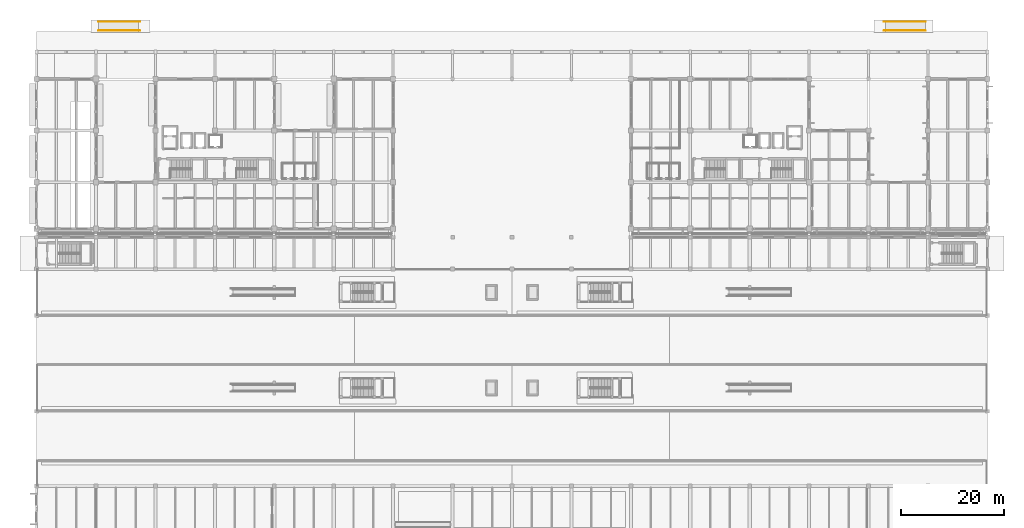
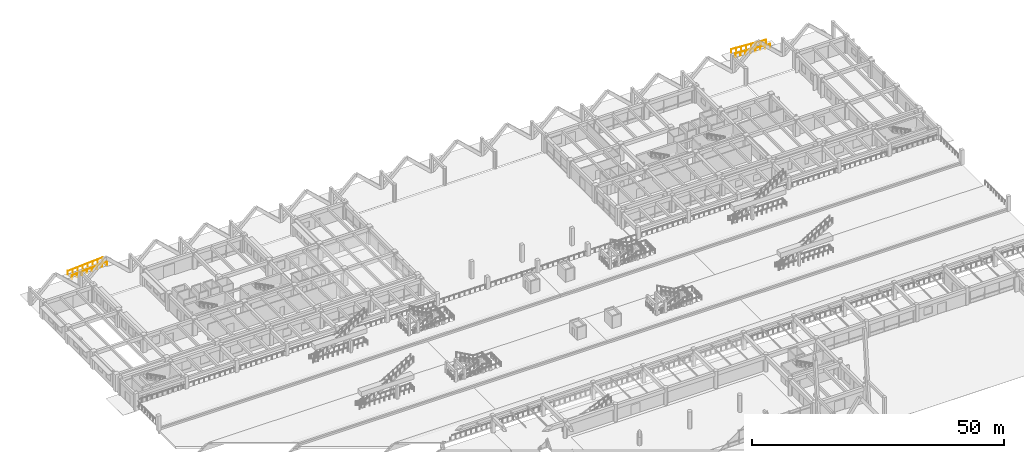
# One storey, part 108 of 109: 4 railings.
"""IFC4 building model written with IfcOpenShell, lengths in metres."""

from ifc_helpers import new_model, si_unit, direction, frame, origin, origin_2d, place, context, subcontext, project, spatial, circle, extrude, material, type_object, element, save


model = new_model("IFC4")

# Units and contexts
model_context = context("Model", 3, precision=1e-05, world=origin(), true_north=direction((0.0, 1.0)))
body_context = subcontext(model_context, "Body", "Model", "MODEL_VIEW")
ifc_project = project(units=[si_unit("LENGTHUNIT", "METRE"), si_unit("AREAUNIT", "SQUARE_METRE"), si_unit("VOLUMEUNIT", "CUBIC_METRE"), si_unit("PLANEANGLEUNIT", "RADIAN"), si_unit("MASSUNIT", "GRAM", prefix="KILO")], contexts=[model_context])

# Site, building, storey
site_placement = place(None, origin())
site = spatial("IfcSite", under=ifc_project, at=site_placement, CompositionType="ELEMENT")
building_placement = place(site_placement, origin())
building = spatial("IfcBuilding", under=site, at=building_placement, Name="Ologun Quay Terminus", CompositionType="ELEMENT")
storey_placement = place(building_placement, origin())
storey = spatial("IfcBuildingStorey", under=building, at=storey_placement, Name="L00", CompositionType="ELEMENT", Elevation=0.0)

# Railings
ifc_material = material(Name="Steel S355", Category="steel")
railing_type = type_object("IfcRailingType", Name="Stair Stainless Tubular Handrail 920", PredefinedType="HANDRAIL", material=ifc_material)
for number, where, name in (
    (1, (12.0, 124.14990234375, -0.5), "HR-ST Ramp Handrail RMP-N-W-S"),
    (2, (12.0, 125.85009765625, -0.5), "HR-ST Ramp Handrail RMP-N-W-N"),
):
    element("IfcRailing", number, at=place(storey_placement, frame(where)), inside=storey, type_object=railing_type, Name=name, PredefinedType="HANDRAIL", context=body_context, shape_type="SweptSolid", body=[
        extrude(circle(Radius=0.02392578125, at=origin_2d()), frame((0.0, 0.0, 0.89599609375), z_axis=(0.998052578483, 0.0, 0.062378286155), x_axis=(0.0, 1.0, 0.0)), (0.0, 0.0, 1.0), 8.015625),
        extrude(circle(Radius=0.02099609375, at=origin_2d()), origin(), (0.0, 0.0, 1.0), 0.871826171875),
        extrude(circle(Radius=0.02099609375, at=origin_2d()), frame((1.142822265625, 0.0, 0.071533203125)), (0.0, 0.0, 1.0), 0.871826171875),
        extrude(circle(Radius=0.02099609375, at=origin_2d()), frame((2.28564453125, 0.0, 0.142822265625)), (0.0, 0.0, 1.0), 0.871826171875),
        extrude(circle(Radius=0.02099609375, at=origin_2d()), frame((3.428466796875, 0.0, 0.21435546875)), (0.0, 0.0, 1.0), 0.871826171875),
        extrude(circle(Radius=0.02099609375, at=origin_2d()), frame((4.571533203125, 0.0, 0.28564453125)), (0.0, 0.0, 1.0), 0.871826171875),
        extrude(circle(Radius=0.02099609375, at=origin_2d()), frame((5.71435546875, 0.0, 0.357177734375)), (0.0, 0.0, 1.0), 0.871826171875),
        extrude(circle(Radius=0.02099609375, at=origin_2d()), frame((6.857177734375, 0.0, 0.428466796875)), (0.0, 0.0, 1.0), 0.871826171875),
        extrude(circle(Radius=0.02099609375, at=origin_2d()), frame((8.0, 0.0, 0.5)), (0.0, 0.0, 1.0), 0.871826171875),
    ])
for number, where, name in (
    (3, (172.0, 124.14990234375, -0.5), "HR-ST Ramp Handrail RMP-N-E-S"),
    (4, (172.0, 125.85009765625, -0.5), "HR-ST Ramp Handrail RMP-N-E-N"),
):
    element("IfcRailing", number, at=place(storey_placement, frame(where)), inside=storey, type_object=railing_type, Name=name, PredefinedType="HANDRAIL", context=body_context, shape_type="SweptSolid", body=[
        extrude(circle(Radius=0.02392578125, at=origin_2d()), frame((0.0, 0.0, 0.89599609375), z_axis=(-0.998052578483, 0.0, 0.062378286155), x_axis=(0.0, -1.0, 0.0)), (0.0, 0.0, 1.0), 8.015625),
        extrude(circle(Radius=0.02099609375, at=origin_2d()), origin(), (0.0, 0.0, 1.0), 0.871826171875),
        extrude(circle(Radius=0.02099609375, at=origin_2d()), frame((-1.142822265625, 0.0, 0.071533203125)), (0.0, 0.0, 1.0), 0.871826171875),
        extrude(circle(Radius=0.02099609375, at=origin_2d()), frame((-2.28564453125, 0.0, 0.142822265625)), (0.0, 0.0, 1.0), 0.871826171875),
        extrude(circle(Radius=0.02099609375, at=origin_2d()), frame((-3.428466796875, 0.0, 0.21435546875)), (0.0, 0.0, 1.0), 0.871826171875),
        extrude(circle(Radius=0.02099609375, at=origin_2d()), frame((-4.571533203125, 0.0, 0.28564453125)), (0.0, 0.0, 1.0), 0.871826171875),
        extrude(circle(Radius=0.02099609375, at=origin_2d()), frame((-5.71435546875, 0.0, 0.357177734375)), (0.0, 0.0, 1.0), 0.871826171875),
        extrude(circle(Radius=0.02099609375, at=origin_2d()), frame((-6.857177734375, 0.0, 0.428466796875)), (0.0, 0.0, 1.0), 0.871826171875),
        extrude(circle(Radius=0.02099609375, at=origin_2d()), frame((-8.0, 0.0, 0.5)), (0.0, 0.0, 1.0), 0.871826171875),
    ])

save(model, "model.ifc")
